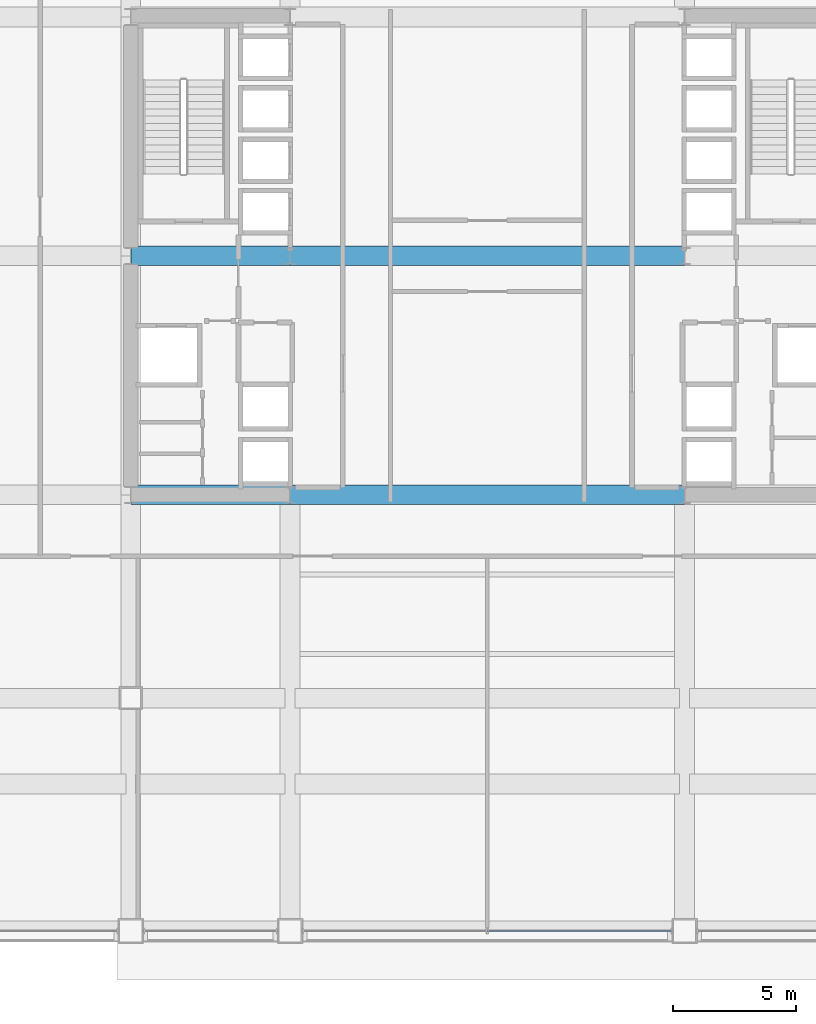
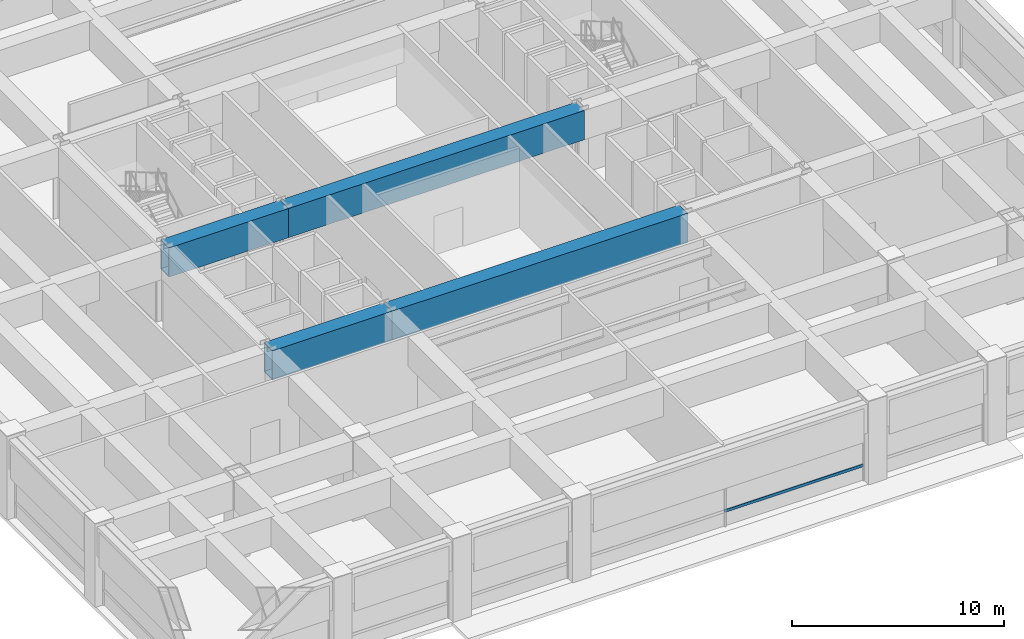
# One storey, part 8 of 30: 4 beams, 1 member, 1 element without a shape of its own.
"""IFC4 building model written with IfcOpenShell, lengths in metres."""

from ifc_helpers import new_model, si_unit, direction, frame, origin, origin_2d, place, context, subcontext, project, spatial, hollow_rectangle, extrude, material, layer, layer_set, material_profile, profile_set, type_object, element, aggregate, save


model = new_model("IFC4")

# Units and contexts
model_context = context("Model", 3, precision=1e-05, world=origin(), true_north=direction((0.0, 1.0)))
body_context = subcontext(model_context, "Body", "Model", "MODEL_VIEW")
ifc_project = project(units=[si_unit("LENGTHUNIT", "METRE"), si_unit("AREAUNIT", "SQUARE_METRE"), si_unit("VOLUMEUNIT", "CUBIC_METRE"), si_unit("PLANEANGLEUNIT", "RADIAN"), si_unit("MASSUNIT", "GRAM", prefix="KILO")], contexts=[model_context])

# Site, building, storey
site_placement = place(None, origin())
site = spatial("IfcSite", under=ifc_project, at=site_placement, CompositionType="ELEMENT")
building_placement = place(site_placement, origin())
building = spatial("IfcBuilding", under=site, at=building_placement, Name="Brelmoor Portico Tower", CompositionType="ELEMENT")
storey_placement = place(building_placement, frame((0.0, 0.0, 19.199951171875)))
storey = spatial("IfcBuildingStorey", under=building, at=storey_placement, Name="L04", CompositionType="ELEMENT", Elevation=19.199951171875)

# Beams
ifc_material_1 = material(Name="Steel Q355B", Category="steel")
ifc_material_profile_1 = material_profile(ifc_material_1, hollow_rectangle(XDim=0.800048828125, YDim=1.679931640625, WallThickness=0.044921875, at=origin_2d()), Name="BOX 800x1680x45")
ifc_profile_set_1 = profile_set([ifc_material_profile_1], Name="Steel Q355B")
beam_type = type_object("IfcBeamType", Name="BM-TG-Z1", PredefinedType="BEAM", material=ifc_profile_set_1)
beam_1_placement = place(storey_placement, frame((-14.550048828125, -9.75, 3.760009765625), z_axis=(1.0, 0.0, 0.0), x_axis=(0.0, 1.0, 0.0)))
element("IfcBeam", 1, at=beam_1_placement, inside=storey, type_object=beam_type, Name="L04 Setback Transfer Girder PG-26", PredefinedType="BEAM", context=body_context, shape_type="SweptSolid", body=[
    extrude(hollow_rectangle(XDim=0.800048828125, YDim=1.679931640625, WallThickness=0.044921875, at=origin_2d()), origin(), (0.0, 0.0, 1.0), 6.5),
])
beam_2_placement = place(storey_placement, frame((-8.050048828125, -9.75, 3.760009765625), z_axis=(1.0, 0.0, 0.0), x_axis=(0.0, 1.0, 0.0)))
element("IfcBeam", 2, at=beam_2_placement, inside=storey, type_object=beam_type, Name="L04 Setback Transfer Girder PG-27", PredefinedType="BEAM", context=body_context, shape_type="SweptSolid", body=[
    extrude(hollow_rectangle(XDim=0.800048828125, YDim=1.679931640625, WallThickness=0.044921875, at=origin_2d()), origin(), (0.0, 0.0, 1.0), 16.10009765625),
])
beam_3_placement = place(storey_placement, frame((-14.550048828125, 0.0, 3.760009765625), z_axis=(1.0, 0.0, 0.0), x_axis=(0.0, 1.0, 0.0)))
element("IfcBeam", 3, at=beam_3_placement, inside=storey, type_object=beam_type, Name="L04 Setback Transfer Girder PG-31", PredefinedType="BEAM", context=body_context, shape_type="SweptSolid", body=[
    extrude(hollow_rectangle(XDim=0.800048828125, YDim=1.679931640625, WallThickness=0.044921875, at=origin_2d()), origin(), (0.0, 0.0, 1.0), 6.5),
])
beam_4_placement = place(storey_placement, frame((-8.050048828125, 0.0, 3.760009765625), z_axis=(1.0, 0.0, 0.0), x_axis=(0.0, 1.0, 0.0)))
element("IfcBeam", 4, at=beam_4_placement, inside=storey, type_object=beam_type, Name="L04 Setback Transfer Girder PG-32", PredefinedType="BEAM", context=body_context, shape_type="SweptSolid", body=[
    extrude(hollow_rectangle(XDim=0.800048828125, YDim=1.679931640625, WallThickness=0.044921875, at=origin_2d()), origin(), (0.0, 0.0, 1.0), 16.10009765625),
])

# Curtain wall, member
ifc_material_2 = material(Name="Anodised Aluminium Alloy 6063-T6", Category="aluminium")
ifc_layer = layer(ifc_material_2, 0.179931640625)
ifc_layer_set = layer_set([ifc_layer], Name="Anodised Aluminium Alloy 6063-T6")
curtain_wall_type = type_object("IfcCurtainWallType", Name="CW-PODIUM-ARCH", PredefinedType="NOTDEFINED", material=ifc_layer_set)
curtain_wall_placement = place(storey_placement, origin())
curtain_wall = element("IfcCurtainWall", 5, at=curtain_wall_placement, inside=storey, type_object=curtain_wall_type, Name="L04 Curtain Wall CW-L04-01-4", PredefinedType="NOTDEFINED")
ifc_material_profile_2 = material_profile(ifc_material_2, hollow_rectangle(XDim=0.070068359375, YDim=0.159912109375, WallThickness=0.00390625, at=origin_2d()), Name="ALU TRANSOM 70x160")
ifc_profile_set_2 = profile_set([ifc_material_profile_2], Name="Anodised Aluminium Alloy 6063-T6")
member_type = type_object("IfcMemberType", Name="MB-CW-TRAN-160", PredefinedType="USERDEFINED", material=ifc_profile_set_2)
member_placement = place(storey_placement, frame((0.0, -27.550048828125, 0.85009765625), z_axis=(1.0, 0.0, 0.0), x_axis=(0.0, 1.0, 0.0)))
member = element("IfcMember", 6, at=member_placement, type_object=member_type, Name="CW-L04-01-4 Transom 1-01", ObjectType="TRANSOM", PredefinedType="USERDEFINED", context=body_context, shape_type="SweptSolid", body=[
    extrude(hollow_rectangle(XDim=0.070068359375, YDim=0.159912109375, WallThickness=0.00390625, at=origin_2d()), origin(), (0.0, 0.0, 1.0), 7.5400390625),
])
aggregate(curtain_wall, [member])

save(model, "model.ifc")
